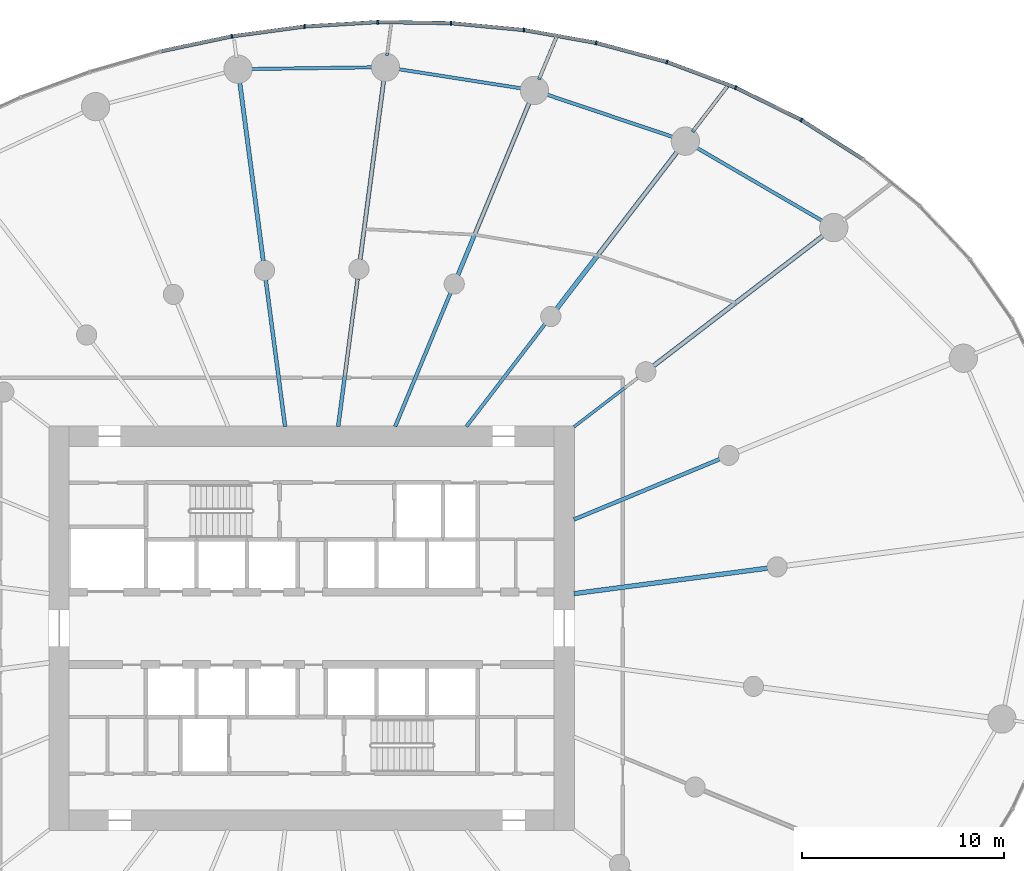
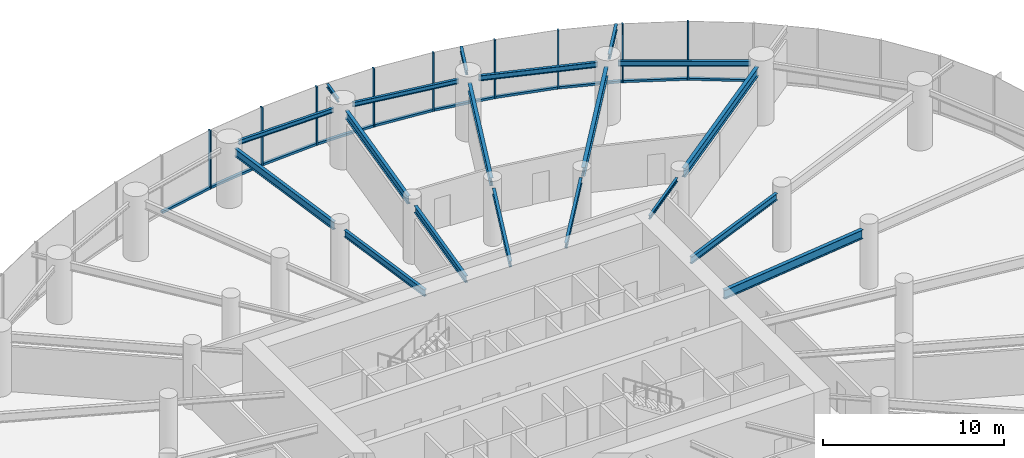
# One storey, part 7 of 18: 19 beams, 19 members, 3 elements without a shape of their own.
"""IFC4 building model written with IfcOpenShell, lengths in metres."""

import ifcopenshell
import ifcopenshell.guid

model = None  # the IFC model being written
_history = None  # IfcOwnerHistory: only IFC2X3 demands one
_inside = {}  # id of a spatial element -> (the spatial element, [elements in it])
_under = {}  # id of a project, library or spatial element -> (it, [spatial elements below it])
_declared = {}  # id of a project -> (the project, [libraries it declares])
_typed = {}  # id of a type object -> (the type object, [elements of that type])
_made_of = {}  # id of a material, layer set ... -> (it, [elements and type objects made of it])


def new_model(schema):
    """Start an empty IFC model of exactly this schema.

    Asked for "IFC4X3", IfcOpenShell would pick the latest addendum, in which some entities
    have other attributes; the version numbers below select the first issue.
    IFC2X3 requires an IfcOwnerHistory on every rooted entity: one is made here for all.
    """
    global model, _history
    if schema == "IFC4X3":
        model = ifcopenshell.file(schema_version=(4, 3, 0, 0))
    else:
        model = ifcopenshell.file(schema=schema)
    _inside.clear()
    _under.clear()
    _declared.clear()
    _typed.clear()
    _made_of.clear()
    _history = None
    if model.schema == "IFC2X3":
        org = make("IfcOrganization", Name="unknown")
        user = make(
            "IfcPersonAndOrganization",
            ThePerson=make("IfcPerson", FamilyName="unknown"),
            TheOrganization=org,
        )
        app = make(
            "IfcApplication",
            ApplicationDeveloper=org,
            Version="unknown",
            ApplicationFullName="unknown",
            ApplicationIdentifier="unknown",
        )
        _history = make(
            "IfcOwnerHistory",
            OwningUser=user,
            OwningApplication=app,
            ChangeAction="ADDED",
            CreationDate=0,
        )
    return model


def make(cls, **values):
    """One entity of the class cls with the attributes given. An attribute that is None is left unset."""
    return model.create_entity(
        cls, **{name: value for name, value in values.items() if value is not None}
    )


def rooted(cls, **values):
    """An entity with a GlobalId (a new one), such as an element, a storey or a relation."""
    return make(cls, GlobalId=ifcopenshell.guid.new(), OwnerHistory=_history, **values)


def si_unit(unit_type, name, prefix=None):
    """IfcSIUnit, for example si_unit("LENGTHUNIT", "METRE", prefix="MILLI")."""
    return make("IfcSIUnit", UnitType=unit_type, Prefix=prefix, Name=name)


def assignment(units):
    """IfcUnitAssignment: the units of a project."""
    return None if units is None else make("IfcUnitAssignment", Units=units)


def point(xyz):
    """IfcCartesianPoint."""
    return None if xyz is None else make("IfcCartesianPoint", Coordinates=xyz)


def direction(xyz):
    """IfcDirection."""
    return None if xyz is None else make("IfcDirection", DirectionRatios=xyz)


def frame(location, z_axis=None, x_axis=None):
    """IfcAxis2Placement3D, a coordinate frame: its origin and axes. An axis left out is left unset."""
    return make(
        "IfcAxis2Placement3D",
        Location=point(location),
        Axis=direction(z_axis),
        RefDirection=direction(x_axis),
    )


def frame_2d(location, x_axis=None):
    """IfcAxis2Placement2D, a coordinate frame in the plane: its origin and x axis."""
    return make(
        "IfcAxis2Placement2D", Location=point(location), RefDirection=direction(x_axis)
    )


def origin():
    """The frame at (0, 0, 0) with its axes left unset."""
    return frame((0.0, 0.0, 0.0))


def origin_2d():
    """The frame at (0, 0) in the plane with its x axis left unset."""
    return frame_2d((0.0, 0.0))


def place(relative_to, where):
    """IfcLocalPlacement: puts the frame where relative to a parent placement (None: the world)."""
    return make(
        "IfcLocalPlacement", PlacementRelTo=relative_to, RelativePlacement=where
    )


def context(
    kind, dimensions, precision=None, world=None, true_north=None, identifier=None
):
    """IfcGeometricRepresentationContext, for example the 3D "Model" context."""
    return make(
        "IfcGeometricRepresentationContext",
        ContextIdentifier=identifier,
        ContextType=kind,
        CoordinateSpaceDimension=dimensions,
        Precision=precision,
        WorldCoordinateSystem=world,
        TrueNorth=true_north,
    )


def subcontext(parent, identifier, kind, view, scale=None):
    """IfcGeometricRepresentationSubContext, for example "Body" below "Model"."""
    return make(
        "IfcGeometricRepresentationSubContext",
        ContextIdentifier=identifier,
        ContextType=kind,
        ParentContext=parent,
        TargetScale=scale,
        TargetView=view,
    )


def project(units=None, contexts=None):
    """IfcProject with its units and contexts."""
    return rooted(
        "IfcProject",
        Name="project",
        RepresentationContexts=contexts,
        UnitsInContext=assignment(units),
    )


def spatial(cls, under=None, at=None, **own):
    """A site, building, storey or space (cls), placed at a placement, below another one or the project."""
    s = rooted(cls, ObjectPlacement=at, **own)
    if under is not None:
        _under.setdefault(under.id(), (under, []))[1].append(s)
    return s


def profile(cls, at=None, kind="AREA", **sizes):
    """A parametric profile (cls). Its sizes go by their IFC names, for example OverallWidth=200.0."""
    return make(cls, ProfileType=kind, Position=at, **sizes)


def rectangle(**sizes):
    """IfcRectangleProfileDef."""
    return profile("IfcRectangleProfileDef", **sizes)


def i_section(**sizes):
    """IfcIShapeProfileDef."""
    return profile("IfcIShapeProfileDef", **sizes)


def extrude(swept, where, along, depth):
    """IfcExtrudedAreaSolid: the profile swept, set in the frame where, extruded along a direction by depth."""
    return make(
        "IfcExtrudedAreaSolid",
        SweptArea=swept,
        Position=where,
        ExtrudedDirection=direction(along),
        Depth=depth,
    )


def shape(context_of_items, identifier, shape_type, items):
    """IfcShapeRepresentation: the items that make up one representation, for example the "Body"."""
    return make(
        "IfcShapeRepresentation",
        ContextOfItems=context_of_items,
        RepresentationIdentifier=identifier,
        RepresentationType=shape_type,
        Items=items,
    )


def source(mapping_origin, context_of_items, identifier, shape_type, items):
    """IfcRepresentationMap: a shape defined once, which mapped items show again and again."""
    return make(
        "IfcRepresentationMap",
        MappingOrigin=mapping_origin,
        MappedRepresentation=shape(context_of_items, identifier, shape_type, items),
    )


def transform(
    local_origin,
    x_axis=None,
    y_axis=None,
    z_axis=None,
    scale=None,
    scale2=None,
    scale3=None,
    uniform=True,
):
    """IfcCartesianTransformationOperator3D, or its non-uniform kind. x_axis, y_axis, z_axis: its Axis1, 2, 3."""
    if uniform:
        return make(
            "IfcCartesianTransformationOperator3D",
            Axis1=direction(x_axis),
            Axis2=direction(y_axis),
            LocalOrigin=point(local_origin),
            Scale=scale,
            Axis3=direction(z_axis),
        )
    return make(
        "IfcCartesianTransformationOperator3DnonUniform",
        Axis1=direction(x_axis),
        Axis2=direction(y_axis),
        LocalOrigin=point(local_origin),
        Scale=scale,
        Axis3=direction(z_axis),
        Scale2=scale2,
        Scale3=scale3,
    )


def mapped(mapping_source, mapping_target):
    """IfcMappedItem: shows the shape of a source again, moved by a transform."""
    return make(
        "IfcMappedItem", MappingSource=mapping_source, MappingTarget=mapping_target
    )


def material(Name=None, Category=None):
    """IfcMaterial."""
    return make("IfcMaterial", Name=Name, Category=Category)


def layer(
    of_material, thickness, ventilated=None, Name=None, Category=None, Priority=None
):
    """IfcMaterialLayer: one layer of a wall or slab, of a material (None: an air gap)."""
    return make(
        "IfcMaterialLayer",
        Material=of_material,
        LayerThickness=thickness,
        IsVentilated=ventilated,
        Name=Name,
        Category=Category,
        Priority=Priority,
    )


def layer_set(layers, Name=None):
    """IfcMaterialLayerSet."""
    return make("IfcMaterialLayerSet", MaterialLayers=layers, LayerSetName=Name)


def material_profile(
    of_material, cross_section, Name=None, Category=None, Priority=None
):
    """IfcMaterialProfile: a cross section and its material."""
    return make(
        "IfcMaterialProfile",
        Name=Name,
        Material=of_material,
        Profile=cross_section,
        Priority=Priority,
        Category=Category,
    )


def profile_set(profiles, Name=None, composite=None):
    """IfcMaterialProfileSet."""
    return make(
        "IfcMaterialProfileSet",
        Name=Name,
        MaterialProfiles=profiles,
        CompositeProfile=composite,
    )


def made_of(thing, what):
    """Note that an element or type object is made of a material, layer set ...; save() writes the relation."""
    if what is not None:
        _made_of.setdefault(what.id(), (what, []))[1].append(thing)
    return thing


def type_object(cls, material=None, **own):
    """A type object (cls), such as IfcWallType, which elements share."""
    return made_of(rooted(cls, **own), material)


def element(
    cls,
    number,
    at=None,
    inside=None,
    cuts=None,
    type_object=None,
    material=None,
    context=None,
    identifier="Body",
    shape_type=None,
    held_by="IfcProductDefinitionShape",
    body=None,
    shapes=None,
    **own,
):
    """One element of the class cls, such as IfcWall. Its Tag is "e" and its number.

    at: its placement. inside: the storey or other place that contains it. cuts: it is an
    opening in that element (IfcRelVoidsElement). A single representation is given by context,
    identifier, shape_type and body (its items); several are given by shapes. held_by: the class
    of the entity that holds the representations. save() writes the other relations.
    """
    e = rooted(cls, Tag="e%d" % number, ObjectPlacement=at, **own)
    if body is not None:
        shapes = [shape(context, identifier, shape_type, body)]
    if shapes is not None:
        e.Representation = make(held_by, Representations=shapes)
    if inside is not None:
        _inside.setdefault(inside.id(), (inside, []))[1].append(e)
    if cuts is not None:
        rooted(
            "IfcRelVoidsElement", RelatingBuildingElement=cuts, RelatedOpeningElement=e
        )
    if type_object is not None:
        _typed.setdefault(type_object.id(), (type_object, []))[1].append(e)
    return made_of(e, material)


def aggregate(whole, parts):
    """IfcRelAggregates: a whole, such as a stair, and the parts it consists of."""
    return rooted("IfcRelAggregates", RelatingObject=whole, RelatedObjects=parts)


def save(model, path):
    """Write the relations noted so far, then the file.

    IfcRelAggregates (storeys below a building ...), IfcRelContainedInSpatialStructure (elements
    in a storey), IfcRelDefinesByType, IfcRelAssociatesMaterial and IfcRelDeclares: one each for
    every whole, place, type object, material and project.
    """
    for whole, parts in _under.values():
        aggregate(whole, parts)
    for where, things in _inside.values():
        rooted(
            "IfcRelContainedInSpatialStructure",
            RelatedElements=things,
            RelatingStructure=where,
        )
    for kind, things in _typed.values():
        rooted("IfcRelDefinesByType", RelatedObjects=things, RelatingType=kind)
    for what, things in _made_of.values():
        rooted("IfcRelAssociatesMaterial", RelatedObjects=things, RelatingMaterial=what)
    for by, libraries in _declared.values():
        rooted("IfcRelDeclares", RelatingContext=by, RelatedDefinitions=libraries)
    model.write(path)


model = new_model("IFC4")

# Units and contexts
model_context = context("Model", 3, precision=1e-05, world=origin(), true_north=direction((0.0, 1.0)))
body_context = subcontext(model_context, "Body", "Model", "MODEL_VIEW")
ifc_project = project(units=[si_unit("LENGTHUNIT", "METRE"), si_unit("AREAUNIT", "SQUARE_METRE"), si_unit("VOLUMEUNIT", "CUBIC_METRE"), si_unit("PLANEANGLEUNIT", "RADIAN"), si_unit("MASSUNIT", "GRAM", prefix="KILO")], contexts=[model_context])

# Site, building, storey
site_placement = place(None, origin())
site = spatial("IfcSite", under=ifc_project, at=site_placement, CompositionType="ELEMENT")
building_placement = place(site_placement, origin())
building = spatial("IfcBuilding", under=site, at=building_placement, Name="Spindrift Exchange Tower", CompositionType="ELEMENT")
storey_placement = place(building_placement, frame((0.0, 0.0, 62.199951171875)))
storey = spatial("IfcBuildingStorey", under=building, at=storey_placement, Name="L14", CompositionType="ELEMENT", Elevation=62.199951171875)

# Beams
ifc_material_1 = material(Name="Steel Grade 300", Category="steel")
ifc_material_profile_1 = material_profile(ifc_material_1, i_section(OverallWidth=0.22802734375, OverallDepth=0.60693359375, WebThickness=0.01123046875, FlangeThickness=0.017333984375, FilletRadius=0.013916015625, at=origin_2d()), Name="610UB113")
ifc_profile_set_1 = profile_set([ifc_material_profile_1], Name="Steel Grade 300")
beam_type_1 = type_object("IfcBeamType", Name="Floor Beam 610UB113 Steel Grade 300", PredefinedType="BEAM", material=ifc_profile_set_1)
shared_shape_1 = source(origin(), body_context, "Body", "SweptSolid", [
    extrude(i_section(OverallWidth=0.22802734375, OverallDepth=0.60693359375, WebThickness=0.01123046875, FlangeThickness=0.017333984375, FilletRadius=0.013916015625, at=origin_2d()), origin(), (0.0, 0.0, 1.0), 9.660400390625),
])
beam_1_placement = place(storey_placement, frame((64.980224609375, 49.708984375, 3.646484375), z_axis=(0.99144767089, 0.130504850054, 0.0), x_axis=(-0.130504850054, 0.99144767089, 0.0)))
element("IfcBeam", 1, at=beam_1_placement, inside=storey, type_object=beam_type_1, Name="L14 radial beam R01A", PredefinedType="BEAM", context=body_context, shape_type="MappedRepresentation", body=[
    mapped(shared_shape_1, transform((0.0, 0.0, 0.0), scale=1.0)),
])
ifc_material_profile_2 = material_profile(ifc_material_1, i_section(OverallWidth=0.18994140625, OverallDepth=0.45703125, WebThickness=0.009033203125, FlangeThickness=0.014404296875, FilletRadius=0.013916015625, at=origin_2d()), Name="460UB74.6")
ifc_profile_set_2 = profile_set([ifc_material_profile_2], Name="Steel Grade 300")
beam_type_2 = type_object("IfcBeamType", Name="Floor Beam 460UB74.6 Steel Grade 300", PredefinedType="BEAM", material=ifc_profile_set_2)
shared_shape_2 = source(origin(), body_context, "Body", "SweptSolid", [
    extrude(i_section(OverallWidth=0.18994140625, OverallDepth=0.45703125, WebThickness=0.009033203125, FlangeThickness=0.014404296875, FilletRadius=0.013916015625, at=origin_2d()), origin(), (0.0, 0.0, 1.0), 7.808837890625),
])
beam_2_placement = place(storey_placement, frame((64.9814453125, 53.377197265625, 3.721435546875), z_axis=(0.92387965154, 0.382683145003, 0.0), x_axis=(-0.382683145003, 0.92387965154, 0.0)))
element("IfcBeam", 2, at=beam_2_placement, inside=storey, type_object=beam_type_2, Name="L14 radial beam R02A", PredefinedType="BEAM", context=body_context, shape_type="MappedRepresentation", body=[
    mapped(shared_shape_2, transform((0.0, 0.0, 0.0), scale=1.0)),
])
ifc_material_profile_3 = material_profile(ifc_material_1, i_section(OverallWidth=0.14599609375, OverallDepth=0.251953125, WebThickness=0.006103515625, FlangeThickness=0.008544921875, FilletRadius=0.011962890625, at=origin_2d()), Name="250UB31.4")
ifc_profile_set_3 = profile_set([ifc_material_profile_3], Name="Steel Grade 300")
beam_type_3 = type_object("IfcBeamType", Name="Floor Beam 250UB31.4 Steel Grade 300", PredefinedType="BEAM", material=ifc_profile_set_3)
shared_shape_3 = source(origin(), body_context, "Body", "SweptSolid", [
    extrude(i_section(OverallWidth=0.14599609375, OverallDepth=0.251953125, WebThickness=0.006103515625, FlangeThickness=0.008544921875, FilletRadius=0.011962890625, at=origin_2d()), origin(), (0.0, 0.0, 1.0), 3.99560546875),
])
beam_3_placement = place(storey_placement, frame((64.984130859375, 57.963134765625, 3.823974609375), z_axis=(0.793352561574, 0.608762443851, 0.0), x_axis=(-0.608762443851, 0.793352561574, 0.0)))
element("IfcBeam", 3, at=beam_3_placement, inside=storey, type_object=beam_type_3, Name="L14 radial beam R03A", PredefinedType="BEAM", context=body_context, shape_type="MappedRepresentation", body=[
    mapped(shared_shape_3, transform((0.0, 0.0, 0.0), scale=1.0)),
])
shared_shape_4 = source(origin(), body_context, "Body", "SweptSolid", [
    extrude(i_section(OverallWidth=0.22802734375, OverallDepth=0.60693359375, WebThickness=0.01123046875, FlangeThickness=0.017333984375, FilletRadius=0.013916015625, at=origin_2d()), origin(), (0.0, 0.0, 1.0), 10.66357421875),
])
beam_4_placement = place(storey_placement, frame((68.91552734375, 60.979736328125, 3.646484375), z_axis=(0.793357926757, 0.608755451764, 0.0), x_axis=(-0.608755451764, 0.793357926757, 0.0)))
element("IfcBeam", 4, at=beam_4_placement, inside=storey, type_object=beam_type_1, Name="L14 radial beam R03B", PredefinedType="BEAM", context=body_context, shape_type="MappedRepresentation", body=[
    mapped(shared_shape_4, transform((0.0, 0.0, 0.0), scale=1.0)),
])
ifc_material_profile_4 = material_profile(ifc_material_1, i_section(OverallWidth=0.172119140625, OverallDepth=0.35888671875, WebThickness=0.008056640625, FlangeThickness=0.012939453125, FilletRadius=0.013916015625, at=origin_2d()), Name="360UB56.7")
ifc_profile_set_4 = profile_set([ifc_material_profile_4], Name="Steel Grade 300")
beam_type_4 = type_object("IfcBeamType", Name="Floor Beam 360UB56.7 Steel Grade 300", PredefinedType="BEAM", material=ifc_profile_set_4)
shared_shape_5 = source(origin(), body_context, "Body", "SweptSolid", [
    extrude(i_section(OverallWidth=0.172119140625, OverallDepth=0.35888671875, WebThickness=0.008056640625, FlangeThickness=0.012939453125, FilletRadius=0.013916015625, at=origin_2d()), origin(), (0.0, 0.0, 1.0), 6.37646484375),
])
beam_5_placement = place(storey_placement, frame((59.6611328125, 57.984130859375, 3.7705078125), z_axis=(0.608766669952, 0.793349318747, 0.0), x_axis=(-0.793349318747, 0.608766669952, 0.0)))
element("IfcBeam", 5, at=beam_5_placement, inside=storey, type_object=beam_type_4, Name="L14 radial beam R04A", PredefinedType="BEAM", context=body_context, shape_type="MappedRepresentation", body=[
    mapped(shared_shape_5, transform((0.0, 0.0, 0.0), scale=1.0)),
])
shared_shape_6 = source(origin(), body_context, "Body", "SweptSolid", [
    extrude(i_section(OverallWidth=0.22802734375, OverallDepth=0.60693359375, WebThickness=0.01123046875, FlangeThickness=0.017333984375, FilletRadius=0.013916015625, at=origin_2d()), origin(), (0.0, 0.0, 1.0), 9.87548828125),
])
beam_6_placement = place(storey_placement, frame((64.127197265625, 63.8046875, 3.646484375), z_axis=(0.608772470836, 0.793344867477, 0.0), x_axis=(-0.793344867477, 0.608772470836, 0.0)))
element("IfcBeam", 6, at=beam_6_placement, inside=storey, type_object=beam_type_1, Name="L14 radial beam R04B", PredefinedType="BEAM", context=body_context, shape_type="MappedRepresentation", body=[
    mapped(shared_shape_6, transform((0.0, 0.0, 0.0), scale=1.0)),
])
ifc_material_profile_5 = material_profile(ifc_material_1, i_section(OverallWidth=0.177978515625, OverallDepth=0.406005859375, WebThickness=0.0078125, FlangeThickness=0.0126953125, FilletRadius=0.013916015625, at=origin_2d()), Name="410UB59.7")
ifc_profile_set_5 = profile_set([ifc_material_profile_5], Name="Steel Grade 300")
beam_type_5 = type_object("IfcBeamType", Name="Floor Beam 410UB59.7 Steel Grade 300", PredefinedType="BEAM", material=ifc_profile_set_5)
shared_shape_7 = source(origin(), body_context, "Body", "SweptSolid", [
    extrude(i_section(OverallWidth=0.177978515625, OverallDepth=0.406005859375, WebThickness=0.0078125, FlangeThickness=0.0126953125, FilletRadius=0.013916015625, at=origin_2d()), origin(), (0.0, 0.0, 1.0), 7.150634765625),
])
beam_7_placement = place(storey_placement, frame((56.134521484375, 57.9814453125, 3.7470703125), z_axis=(0.382665393358, 0.923887004306, 0.0), x_axis=(-0.923887004306, 0.382665393358, 0.0)))
element("IfcBeam", 7, at=beam_7_placement, inside=storey, type_object=beam_type_5, Name="L14 radial beam R05A", PredefinedType="BEAM", context=body_context, shape_type="MappedRepresentation", body=[
    mapped(shared_shape_7, transform((0.0, 0.0, 0.0), scale=1.0)),
])
ifc_material_profile_6 = material_profile(ifc_material_1, i_section(OverallWidth=0.208984375, OverallDepth=0.532958984375, WebThickness=0.01025390625, FlangeThickness=0.015625, FilletRadius=0.013916015625, at=origin_2d()), Name="530UB92.4")
ifc_profile_set_6 = profile_set([ifc_material_profile_6], Name="Steel Grade 300")
beam_type_6 = type_object("IfcBeamType", Name="Floor Beam 530UB92.4 Steel Grade 300", PredefinedType="BEAM", material=ifc_profile_set_6)
shared_shape_8 = source(origin(), body_context, "Body", "SweptSolid", [
    extrude(i_section(OverallWidth=0.208984375, OverallDepth=0.532958984375, WebThickness=0.01025390625, FlangeThickness=0.015625, FilletRadius=0.013916015625, at=origin_2d()), origin(), (0.0, 0.0, 1.0), 9.309326171875),
])
beam_8_placement = place(storey_placement, frame((59.23828125, 65.474853515625, 3.68359375), z_axis=(0.382685326691, 0.923878747853, 0.0), x_axis=(-0.923878747853, 0.382685326691, 0.0)))
element("IfcBeam", 8, at=beam_8_placement, inside=storey, type_object=beam_type_6, Name="L14 radial beam R05B", PredefinedType="BEAM", context=body_context, shape_type="MappedRepresentation", body=[
    mapped(shared_shape_8, transform((0.0, 0.0, 0.0), scale=1.0)),
])
shared_shape_9 = source(origin(), body_context, "Body", "SweptSolid", [
    extrude(i_section(OverallWidth=0.18994140625, OverallDepth=0.45703125, WebThickness=0.009033203125, FlangeThickness=0.014404296875, FilletRadius=0.013916015625, at=origin_2d()), origin(), (0.0, 0.0, 1.0), 7.374267578125),
])
beam_9_placement = place(storey_placement, frame((53.31396484375, 57.980224609375, 3.721435546875), z_axis=(0.130539295622, 0.99144313619, 0.0), x_axis=(-0.99144313619, 0.130539295622, 0.0)))
element("IfcBeam", 9, at=beam_9_placement, inside=storey, type_object=beam_type_2, Name="L14 radial beam R06A", PredefinedType="BEAM", context=body_context, shape_type="MappedRepresentation", body=[
    mapped(shared_shape_9, transform((0.0, 0.0, 0.0), scale=1.0)),
])
shared_shape_10 = source(origin(), body_context, "Body", "SweptSolid", [
    extrude(i_section(OverallWidth=0.208984375, OverallDepth=0.532958984375, WebThickness=0.01025390625, FlangeThickness=0.015625, FilletRadius=0.013916015625, at=origin_2d()), origin(), (0.0, 0.0, 1.0), 9.020263671875),
])
beam_10_placement = place(storey_placement, frame((54.40185546875, 66.2431640625, 3.68359375), z_axis=(0.13051122338, 0.991446831944, 0.0), x_axis=(-0.991446831944, 0.13051122338, 0.0)))
element("IfcBeam", 10, at=beam_10_placement, inside=storey, type_object=beam_type_6, Name="L14 radial beam R06B", PredefinedType="BEAM", context=body_context, shape_type="MappedRepresentation", body=[
    mapped(shared_shape_10, transform((0.0, 0.0, 0.0), scale=1.0)),
])
shared_shape_11 = source(origin(), body_context, "Body", "SweptSolid", [
    extrude(i_section(OverallWidth=0.18994140625, OverallDepth=0.45703125, WebThickness=0.009033203125, FlangeThickness=0.014404296875, FilletRadius=0.013916015625, at=origin_2d()), origin(), (0.0, 0.0, 1.0), 7.3095703125),
])
beam_11_placement = place(storey_placement, frame((50.68603515625, 57.980224609375, 3.721435546875), z_axis=(-0.130527087244, 0.991444743541, 0.0), x_axis=(-0.991444743541, -0.130527087244, 0.0)))
element("IfcBeam", 11, at=beam_11_placement, inside=storey, type_object=beam_type_2, Name="L14 radial beam R07A", PredefinedType="BEAM", context=body_context, shape_type="MappedRepresentation", body=[
    mapped(shared_shape_11, transform((0.0, 0.0, 0.0), scale=1.0)),
])
shared_shape_12 = source(origin(), body_context, "Body", "SweptSolid", [
    extrude(i_section(OverallWidth=0.208984375, OverallDepth=0.532958984375, WebThickness=0.01025390625, FlangeThickness=0.015625, FilletRadius=0.013916015625, at=origin_2d()), origin(), (0.0, 0.0, 1.0), 8.98388671875),
])
beam_12_placement = place(storey_placement, frame((49.606689453125, 66.17919921875, 3.68359375), z_axis=(-0.130524106785, 0.991445135924, 0.0), x_axis=(-0.991445135924, -0.130524106785, 0.0)))
element("IfcBeam", 12, at=beam_12_placement, inside=storey, type_object=beam_type_6, Name="L14 radial beam R07B", PredefinedType="BEAM", context=body_context, shape_type="MappedRepresentation", body=[
    mapped(shared_shape_12, transform((0.0, 0.0, 0.0), scale=1.0)),
])
ifc_material_profile_7 = material_profile(ifc_material_1, i_section(OverallWidth=0.172119140625, OverallDepth=0.35888671875, WebThickness=0.008056640625, FlangeThickness=0.012939453125, FilletRadius=0.013916015625, at=origin_2d()), Name="360UB56.7")
ifc_profile_set_7 = profile_set([ifc_material_profile_7], Name="Steel Grade 300")
beam_type_7 = type_object("IfcBeamType", Name="Edge Beam 360UB56.7 Steel Grade 300", PredefinedType="SPANDREL", material=ifc_profile_set_7)
shared_shape_13 = source(origin(), body_context, "Body", "SweptSolid", [
    extrude(i_section(OverallWidth=0.172119140625, OverallDepth=0.35888671875, WebThickness=0.008056640625, FlangeThickness=0.012939453125, FilletRadius=0.013916015625, at=origin_2d()), origin(), (0.0, 0.0, 1.0), 7.33740234375),
])
beam_13_placement = place(storey_placement, frame((77.33447265625, 68.1162109375, 3.7705078125), z_axis=(-0.864211826308, 0.503128134047, 0.0), x_axis=(-0.503128134047, -0.864211826308, 0.0)))
element("IfcBeam", 13, at=beam_13_placement, inside=storey, type_object=beam_type_7, Name="L14 edge beam E03", PredefinedType="SPANDREL", context=body_context, shape_type="MappedRepresentation", body=[
    mapped(shared_shape_13, transform((0.0, 0.0, 0.0), scale=1.0)),
])
shared_shape_14 = source(origin(), body_context, "Body", "SweptSolid", [
    extrude(i_section(OverallWidth=0.172119140625, OverallDepth=0.35888671875, WebThickness=0.008056640625, FlangeThickness=0.012939453125, FilletRadius=0.013916015625, at=origin_2d()), origin(), (0.0, 0.0, 1.0), 6.72021484375),
])
beam_14_placement = place(storey_placement, frame((69.9423828125, 72.28466796875, 3.7705078125), z_axis=(-0.947851749681, 0.318711563372, 0.0), x_axis=(-0.318711563372, -0.947851749681, 0.0)))
element("IfcBeam", 14, at=beam_14_placement, inside=storey, type_object=beam_type_7, Name="L14 edge beam E04", PredefinedType="SPANDREL", context=body_context, shape_type="MappedRepresentation", body=[
    mapped(shared_shape_14, transform((0.0, 0.0, 0.0), scale=1.0)),
])
ifc_material_profile_8 = material_profile(ifc_material_1, i_section(OverallWidth=0.1650390625, OverallDepth=0.303955078125, WebThickness=0.006103515625, FlangeThickness=0.01025390625, FilletRadius=0.011474609375, at=origin_2d()), Name="310UB40.4")
ifc_profile_set_8 = profile_set([ifc_material_profile_8], Name="Steel Grade 300")
beam_type_8 = type_object("IfcBeamType", Name="Edge Beam 310UB40.4 Steel Grade 300", PredefinedType="SPANDREL", material=ifc_profile_set_8)
shared_shape_15 = source(origin(), body_context, "Body", "SweptSolid", [
    extrude(i_section(OverallWidth=0.1650390625, OverallDepth=0.303955078125, WebThickness=0.006103515625, FlangeThickness=0.01025390625, FilletRadius=0.011474609375, at=origin_2d()), origin(), (0.0, 0.0, 1.0), 6.297119140625),
])
beam_15_placement = place(storey_placement, frame((62.44970703125, 74.70068359375, 3.798095703125), z_axis=(-0.98802902915, 0.154268070436, 0.0), x_axis=(-0.154268070436, -0.98802902915, 0.0)))
element("IfcBeam", 15, at=beam_15_placement, inside=storey, type_object=beam_type_8, Name="L14 edge beam E05", PredefinedType="SPANDREL", context=body_context, shape_type="MappedRepresentation", body=[
    mapped(shared_shape_15, transform((0.0, 0.0, 0.0), scale=1.0)),
])
shared_shape_16 = source(origin(), body_context, "Body", "SweptSolid", [
    extrude(i_section(OverallWidth=0.1650390625, OverallDepth=0.303955078125, WebThickness=0.006103515625, FlangeThickness=0.01025390625, FilletRadius=0.011474609375, at=origin_2d()), origin(), (0.0, 0.0, 1.0), 6.13720703125),
])
beam_16_placement = place(storey_placement, frame((55.074951171875, 75.75341796875, 3.798095703125), z_axis=(-0.999905820907, -0.013724041543, 0.0), x_axis=(0.013724041543, -0.999905820907, 0.0)))
element("IfcBeam", 16, at=beam_16_placement, inside=storey, type_object=beam_type_8, Name="L14 edge beam E06", PredefinedType="SPANDREL", context=body_context, shape_type="MappedRepresentation", body=[
    mapped(shared_shape_16, transform((0.0, 0.0, 0.0), scale=1.0)),
])
ifc_material_profile_9 = material_profile(ifc_material_1, i_section(OverallWidth=0.172119140625, OverallDepth=0.35888671875, WebThickness=0.008056640625, FlangeThickness=0.012939453125, FilletRadius=0.013916015625, at=origin_2d()), Name="360UB56.7")
ifc_profile_set_9 = profile_set([ifc_material_profile_9], Name="Steel Grade 300")
beam_type_9 = type_object("IfcBeamType", Name="Cantilever Beam 360UB56.7 Steel Grade 300", PredefinedType="BEAM", material=ifc_profile_set_9)
shared_shape_17 = source(origin(), body_context, "Body", "SweptSolid", [
    extrude(i_section(OverallWidth=0.172119140625, OverallDepth=0.35888671875, WebThickness=0.008056640625, FlangeThickness=0.012939453125, FilletRadius=0.013916015625, at=origin_2d()), origin(), (0.0, 0.0, 1.0), 2.987548828125),
])
beam_17_placement = place(storey_placement, frame((70.845458984375, 72.559814453125, 3.7705078125), z_axis=(0.608750606665, 0.79336164445, 0.0), x_axis=(-0.79336164445, 0.608750606665, 0.0)))
element("IfcBeam", 17, at=beam_17_placement, inside=storey, type_object=beam_type_9, Name="L14 cantilever beam R04T", PredefinedType="BEAM", context=body_context, shape_type="MappedRepresentation", body=[
    mapped(shared_shape_17, transform((0.0, 0.0, 0.0), scale=1.0)),
])
ifc_material_profile_10 = material_profile(ifc_material_1, i_section(OverallWidth=0.1650390625, OverallDepth=0.303955078125, WebThickness=0.006103515625, FlangeThickness=0.01025390625, FilletRadius=0.011474609375, at=origin_2d()), Name="310UB40.4")
ifc_profile_set_10 = profile_set([ifc_material_profile_10], Name="Steel Grade 300")
beam_type_10 = type_object("IfcBeamType", Name="Cantilever Beam 310UB40.4 Steel Grade 300", PredefinedType="BEAM", material=ifc_profile_set_10)
shared_shape_18 = source(origin(), body_context, "Body", "SweptSolid", [
    extrude(i_section(OverallWidth=0.1650390625, OverallDepth=0.303955078125, WebThickness=0.006103515625, FlangeThickness=0.01025390625, FilletRadius=0.011474609375, at=origin_2d()), origin(), (0.0, 0.0, 1.0), 2.367919921875),
])
beam_18_placement = place(storey_placement, frame((63.244873046875, 75.147216796875, 3.798095703125), z_axis=(0.38261586777, 0.923907515788, 0.0), x_axis=(-0.923907515788, 0.38261586777, 0.0)))
element("IfcBeam", 18, at=beam_18_placement, inside=storey, type_object=beam_type_10, Name="L14 cantilever beam R05T", PredefinedType="BEAM", context=body_context, shape_type="MappedRepresentation", body=[
    mapped(shared_shape_18, transform((0.0, 0.0, 0.0), scale=1.0)),
])
ifc_material_profile_11 = material_profile(ifc_material_1, i_section(OverallWidth=0.14599609375, OverallDepth=0.251953125, WebThickness=0.006103515625, FlangeThickness=0.008544921875, FilletRadius=0.011962890625, at=origin_2d()), Name="250UB31.4")
ifc_profile_set_11 = profile_set([ifc_material_profile_11], Name="Steel Grade 300")
beam_type_11 = type_object("IfcBeamType", Name="Cantilever Beam 250UB31.4 Steel Grade 300", PredefinedType="BEAM", material=ifc_profile_set_11)
shared_shape_19 = source(origin(), body_context, "Body", "SweptSolid", [
    extrude(i_section(OverallWidth=0.14599609375, OverallDepth=0.251953125, WebThickness=0.006103515625, FlangeThickness=0.008544921875, FilletRadius=0.011962890625, at=origin_2d()), origin(), (0.0, 0.0, 1.0), 1.58740234375),
])
beam_19_placement = place(storey_placement, frame((55.730712890625, 76.33642578125, 3.823974609375), z_axis=(0.130430640093, 0.991457436366, 0.0), x_axis=(-0.991457436366, 0.130430640093, 0.0)))
element("IfcBeam", 19, at=beam_19_placement, inside=storey, type_object=beam_type_11, Name="L14 cantilever beam R06T", PredefinedType="BEAM", context=body_context, shape_type="MappedRepresentation", body=[
    mapped(shared_shape_19, transform((0.0, 0.0, 0.0), scale=1.0)),
])

# Curtain wall, members
ifc_material_2 = material(Name="Fritted laminated glass with bronze frame", Category="glass")
ifc_layer = layer(ifc_material_2, 0.199951171875)
ifc_layer_set = layer_set([ifc_layer], Name="ZONE 1 BRONZE FRITTED WALL")
curtain_wall_type = type_object("IfcCurtainWallType", Name="ZONE 1 BRONZE FRITTED WALL", PredefinedType="NOTDEFINED", material=ifc_layer_set)
curtain_wall_1_placement = place(storey_placement, origin())
curtain_wall_1 = element("IfcCurtainWall", 20, at=curtain_wall_1_placement, inside=storey, type_object=curtain_wall_type, Name="L14 Zone 1 Bronze Fritted Wall run 2", PredefinedType="NOTDEFINED")
ifc_material_3 = material(Name="Bronze anodised aluminium", Category="aluminium")
ifc_material_profile_12 = material_profile(ifc_material_3, rectangle(XDim=0.080078125, YDim=0.199951171875, at=origin_2d()), Name="ZONE 1 BRONZE FRITTED WALL MULLION 80X200")
ifc_profile_set_12 = profile_set([ifc_material_profile_12], Name="Bronze anodised aluminium")
member_type_1 = type_object("IfcMemberType", Name="ZONE 1 BRONZE FRITTED WALL MULLION 80X200", PredefinedType="MULLION", material=ifc_profile_set_12)
shared_shape_20 = source(origin(), body_context, "Body", "SweptSolid", [
    extrude(rectangle(XDim=0.080078125, YDim=0.199951171875, at=origin_2d()), origin(), (0.0, 0.0, 1.0), 3.949951171875),
])
member_1_placement = place(storey_placement, frame((76.2314453125, 73.148681640625, 0.0), z_axis=(0.0, 0.0, 1.0), x_axis=(-0.871610277191, 0.490199474393, 0.0)))
member_1 = element("IfcMember", 21, at=member_1_placement, type_object=member_type_1, Name="L14 mullion CW-1.7", PredefinedType="MULLION", context=body_context, shape_type="MappedRepresentation", body=[
    mapped(shared_shape_20, transform((0.0, 0.0, 0.0), scale=1.0)),
])
member_2_placement = place(storey_placement, frame((72.97802734375, 74.7509765625, 0.0), z_axis=(0.0, 0.0, 1.0), x_axis=(-0.918208769225, 0.396096776203, 0.0)))
member_2 = element("IfcMember", 22, at=member_2_placement, type_object=member_type_1, Name="L14 mullion CW-1.8", PredefinedType="MULLION", context=body_context, shape_type="MappedRepresentation", body=[
    mapped(shared_shape_20, transform((0.0, 0.0, 0.0), scale=1.0)),
])
member_3_placement = place(storey_placement, frame((69.579833984375, 76.018310546875, 0.0), z_axis=(0.0, 0.0, 1.0), x_axis=(-0.952254091053, 0.305306642694, 0.0)))
member_3 = element("IfcMember", 23, at=member_3_placement, type_object=member_type_1, Name="L14 mullion CW-1.9", PredefinedType="MULLION", context=body_context, shape_type="MappedRepresentation", body=[
    mapped(shared_shape_20, transform((0.0, 0.0, 0.0), scale=1.0)),
])
member_4_placement = place(storey_placement, frame((66.078125, 76.963134765625, 0.0), z_axis=(0.0, 0.0, 1.0), x_axis=(-0.97591109514, 0.218168591649, 0.0)))
member_4 = element("IfcMember", 24, at=member_4_placement, type_object=member_type_1, Name="L14 mullion CW-1.10", PredefinedType="MULLION", context=body_context, shape_type="MappedRepresentation", body=[
    mapped(shared_shape_20, transform((0.0, 0.0, 0.0), scale=1.0)),
])
member_5_placement = place(storey_placement, frame((62.507080078125, 77.599365234375, 0.0), z_axis=(0.0, 0.0, 1.0), x_axis=(-0.990890730626, 0.134668333176, 0.0)))
member_5 = element("IfcMember", 25, at=member_5_placement, type_object=member_type_1, Name="L14 mullion CW-1.11", PredefinedType="MULLION", context=body_context, shape_type="MappedRepresentation", body=[
    mapped(shared_shape_20, transform((0.0, 0.0, 0.0), scale=1.0)),
])
member_6_placement = place(storey_placement, frame((58.89599609375, 77.939208984375, 0.0), z_axis=(0.0, 0.0, 1.0), x_axis=(-0.998514275085, 0.054490755653, 0.0)))
member_6 = element("IfcMember", 26, at=member_6_placement, type_object=member_type_1, Name="L14 mullion CW-1.12", PredefinedType="MULLION", context=body_context, shape_type="MappedRepresentation", body=[
    mapped(shared_shape_20, transform((0.0, 0.0, 0.0), scale=1.0)),
])

curtain_wall_2_placement = place(storey_placement, origin())
curtain_wall_2 = element("IfcCurtainWall", 27, at=curtain_wall_2_placement, inside=storey, type_object=curtain_wall_type, Name="L14 Zone 1 Bronze Fritted Wall run 3", PredefinedType="NOTDEFINED")
member_7_placement = place(storey_placement, frame((55.26904296875, 77.994384765625, 0.0), z_axis=(0.0, 0.0, 1.0), x_axis=(-0.999740332288, -0.022787452633, 0.0)))
member_7 = element("IfcMember", 28, at=member_7_placement, type_object=member_type_1, Name="L14 mullion CW-1.13", PredefinedType="MULLION", context=body_context, shape_type="MappedRepresentation", body=[
    mapped(shared_shape_20, transform((0.0, 0.0, 0.0), scale=1.0)),
])
member_8_placement = place(storey_placement, frame((51.648193359375, 77.774169921875, 0.0), z_axis=(0.0, 0.0, 1.0), x_axis=(-0.995222632774, -0.097631507281, 0.0)))
member_8 = element("IfcMember", 29, at=member_8_placement, type_object=member_type_1, Name="L14 mullion CW-1.14", PredefinedType="MULLION", context=body_context, shape_type="MappedRepresentation", body=[
    mapped(shared_shape_20, transform((0.0, 0.0, 0.0), scale=1.0)),
])
member_9_placement = place(storey_placement, frame((48.053955078125, 77.28662109375, 0.0), z_axis=(0.0, 0.0, 1.0), x_axis=(-0.985353119558, -0.170526331625, 0.0)))
member_9 = element("IfcMember", 30, at=member_9_placement, type_object=member_type_1, Name="L14 mullion CW-1.15", PredefinedType="MULLION", context=body_context, shape_type="MappedRepresentation", body=[
    mapped(shared_shape_20, transform((0.0, 0.0, 0.0), scale=1.0)),
])

# Curtain wall, member
curtain_wall_3_placement = place(storey_placement, origin())
curtain_wall_3 = element("IfcCurtainWall", 31, at=curtain_wall_3_placement, inside=storey, type_object=curtain_wall_type, Name="L14 Zone 1 Bronze Fritted Wall run 1", PredefinedType="NOTDEFINED")
ifc_material_profile_13 = material_profile(ifc_material_3, rectangle(XDim=0.179931640625, YDim=0.14990234375, at=origin_2d()), Name="ZONE 1 BRONZE FRITTED WALL TRANSOM 180X150")
ifc_profile_set_13 = profile_set([ifc_material_profile_13], Name="Bronze anodised aluminium")
member_type_2 = type_object("IfcMemberType", Name="ZONE 1 BRONZE FRITTED WALL TRANSOM 180X150", PredefinedType="USERDEFINED", material=ifc_profile_set_13)
shared_shape_21 = source(origin(), body_context, "Body", "SweptSolid", [
    extrude(rectangle(XDim=0.179931640625, YDim=0.14990234375, at=origin_2d()), origin(), (0.0, 0.0, 1.0), 3.546142578125),
])
member_10_placement = place(storey_placement, frame((79.25634765625, 71.222412109375, 0.074951171875), z_axis=(-0.843497028533, 0.537133840729, 0.0), x_axis=(-0.537133840729, -0.843497028533, 0.0)))
member_10 = element("IfcMember", 32, at=member_10_placement, type_object=member_type_2, Name="L14 transom CW-1.6", ObjectType="TRANSOM", PredefinedType="USERDEFINED", context=body_context, shape_type="MappedRepresentation", body=[
    mapped(shared_shape_21, transform((0.0, 0.0, 0.0), scale=1.0)),
])
aggregate(curtain_wall_3, [member_10])

# Member
shared_shape_22 = source(origin(), body_context, "Body", "SweptSolid", [
    extrude(rectangle(XDim=0.179931640625, YDim=0.14990234375, at=origin_2d()), origin(), (0.0, 0.0, 1.0), 3.546875),
])
member_11_placement = place(storey_placement, frame((72.9404296875, 74.764892578125, 0.074951171875), z_axis=(-0.936972565951, 0.349402934526, 0.0), x_axis=(-0.349402934526, -0.936972565951, 0.0)))
member_11 = element("IfcMember", 33, at=member_11_placement, type_object=member_type_2, Name="L14 transom CW-1.8", ObjectType="TRANSOM", PredefinedType="USERDEFINED", context=body_context, shape_type="MappedRepresentation", body=[
    mapped(shared_shape_22, transform((0.0, 0.0, 0.0), scale=1.0)),
])

shared_shape_23 = source(origin(), body_context, "Body", "SweptSolid", [
    extrude(rectangle(XDim=0.179931640625, YDim=0.14990234375, at=origin_2d()), origin(), (0.0, 0.0, 1.0), 3.54736328125),
])
member_12_placement = place(storey_placement, frame((58.85595703125, 77.93994140625, 0.074951171875), z_axis=(-0.99988536189, 0.015141435822, 0.0), x_axis=(-0.015141435822, -0.99988536189, 0.0)))
member_12 = element("IfcMember", 34, at=member_12_placement, type_object=member_type_2, Name="L14 transom CW-1.12", ObjectType="TRANSOM", PredefinedType="USERDEFINED", context=body_context, shape_type="MappedRepresentation", body=[
    mapped(shared_shape_23, transform((0.0, 0.0, 0.0), scale=1.0)),
])

member_13_placement = place(storey_placement, frame((55.22900390625, 77.991943359375, 0.074951171875), z_axis=(-0.998155881389, -0.060702853712, 0.0), x_axis=(0.060702853712, -0.998155881389, 0.0)))
member_13 = element("IfcMember", 35, at=member_13_placement, type_object=member_type_2, Name="L14 transom CW-1.13", ObjectType="TRANSOM", PredefinedType="USERDEFINED", context=body_context, shape_type="MappedRepresentation", body=[
    mapped(shared_shape_23, transform((0.0, 0.0, 0.0), scale=1.0)),
])

member_14_placement = place(storey_placement, frame((51.608642578125, 77.768798828125, 0.074951171875), z_axis=(-0.990925408424, -0.13441292698, 0.0), x_axis=(0.13441292698, -0.990925408424, 0.0)))
member_14 = element("IfcMember", 36, at=member_14_placement, type_object=member_type_2, Name="L14 transom CW-1.14", ObjectType="TRANSOM", PredefinedType="USERDEFINED", context=body_context, shape_type="MappedRepresentation", body=[
    mapped(shared_shape_23, transform((0.0, 0.0, 0.0), scale=1.0)),
])

member_15_placement = place(storey_placement, frame((48.0146484375, 77.2783203125, 0.074951171875), z_axis=(-0.978467191019, -0.206402413017, 0.0), x_axis=(0.206402413017, -0.978467191019, 0.0)))
member_15 = element("IfcMember", 37, at=member_15_placement, type_object=member_type_2, Name="L14 transom CW-1.15", ObjectType="TRANSOM", PredefinedType="USERDEFINED", context=body_context, shape_type="MappedRepresentation", body=[
    mapped(shared_shape_23, transform((0.0, 0.0, 0.0), scale=1.0)),
])

aggregate(curtain_wall_2, [member_7, member_13, member_8, member_14, member_9, member_15])

shared_shape_24 = source(origin(), body_context, "Body", "SweptSolid", [
    extrude(rectangle(XDim=0.179931640625, YDim=0.14990234375, at=origin_2d()), origin(), (0.0, 0.0, 1.0), 3.547119140625),
])
member_16_placement = place(storey_placement, frame((69.541259765625, 76.028564453125, 0.074951171875), z_axis=(-0.965451422957, 0.26058309598, 0.0), x_axis=(-0.26058309598, -0.965451422957, 0.0)))
member_16 = element("IfcMember", 38, at=member_16_placement, type_object=member_type_2, Name="L14 transom CW-1.9", ObjectType="TRANSOM", PredefinedType="USERDEFINED", context=body_context, shape_type="MappedRepresentation", body=[
    mapped(shared_shape_24, transform((0.0, 0.0, 0.0), scale=1.0)),
])

member_17_placement = place(storey_placement, frame((66.038818359375, 76.97021484375, 0.074951171875), z_axis=(-0.984502353743, 0.175371364467, 0.0), x_axis=(-0.175371364467, -0.984502353743, 0.0)))
member_17 = element("IfcMember", 39, at=member_17_placement, type_object=member_type_2, Name="L14 transom CW-1.10", ObjectType="TRANSOM", PredefinedType="USERDEFINED", context=body_context, shape_type="MappedRepresentation", body=[
    mapped(shared_shape_24, transform((0.0, 0.0, 0.0), scale=1.0)),
])

member_18_placement = place(storey_placement, frame((62.46728515625, 77.60302734375, 0.074951171875), z_axis=(-0.995596365758, 0.093743674398, 0.0), x_axis=(-0.093743674398, -0.995596365758, 0.0)))
member_18 = element("IfcMember", 40, at=member_18_placement, type_object=member_type_2, Name="L14 transom CW-1.11", ObjectType="TRANSOM", PredefinedType="USERDEFINED", context=body_context, shape_type="MappedRepresentation", body=[
    mapped(shared_shape_24, transform((0.0, 0.0, 0.0), scale=1.0)),
])

shared_shape_25 = source(origin(), body_context, "Body", "SweptSolid", [
    extrude(rectangle(XDim=0.179931640625, YDim=0.14990234375, at=origin_2d()), origin(), (0.0, 0.0, 1.0), 3.546630859375),
])
member_19_placement = place(storey_placement, frame((76.195556640625, 73.16650390625, 0.074951171875), z_axis=(-0.897109395614, 0.441808479209, 0.0), x_axis=(-0.441808479209, -0.897109395614, 0.0)))
member_19 = element("IfcMember", 41, at=member_19_placement, type_object=member_type_2, Name="L14 transom CW-1.7", ObjectType="TRANSOM", PredefinedType="USERDEFINED", context=body_context, shape_type="MappedRepresentation", body=[
    mapped(shared_shape_25, transform((0.0, 0.0, 0.0), scale=1.0)),
])

aggregate(curtain_wall_1, [member_1, member_19, member_2, member_11, member_3, member_16, member_4, member_17, member_5, member_18, member_6, member_12])

save(model, "model.ifc")
